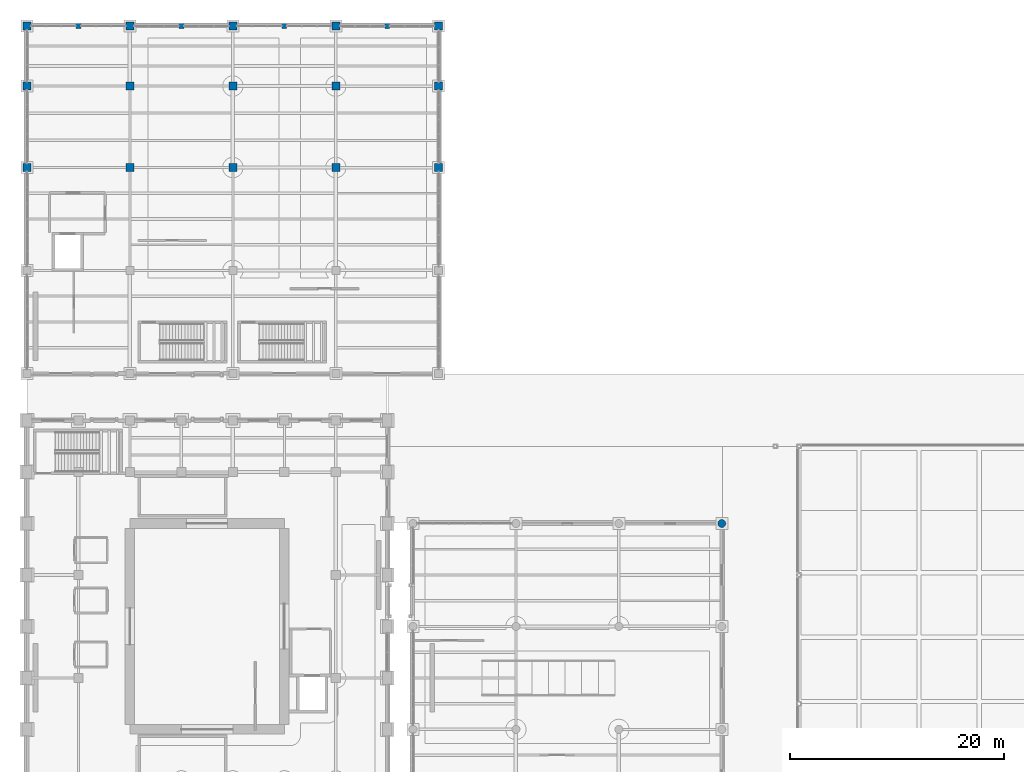
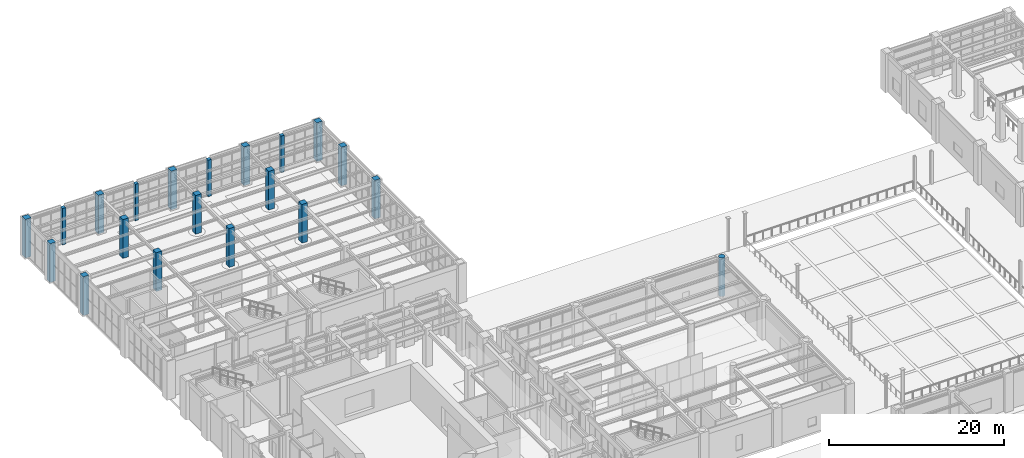
# One storey, part 15 of 164: 20 columns.
"""IFC4 building model written with IfcOpenShell, lengths in metres."""

from ifc_helpers import new_model, si_unit, direction, frame, origin, origin_2d, place, context, subcontext, project, spatial, rectangle, circle, extrude, material, material_profile, profile_set, type_object, element, save


model = new_model("IFC4")

# Units and contexts
model_context = context("Model", 3, precision=1e-05, world=origin(), true_north=direction((0.0, 1.0)))
body_context = subcontext(model_context, "Body", "Model", "MODEL_VIEW")
ifc_project = project(units=[si_unit("LENGTHUNIT", "METRE"), si_unit("AREAUNIT", "SQUARE_METRE"), si_unit("VOLUMEUNIT", "CUBIC_METRE"), si_unit("PLANEANGLEUNIT", "RADIAN"), si_unit("MASSUNIT", "GRAM", prefix="KILO")], contexts=[model_context])

# Site, building, storey
site_placement = place(None, origin())
site = spatial("IfcSite", under=ifc_project, at=site_placement, CompositionType="ELEMENT")
building_placement = place(site_placement, origin())
building = spatial("IfcBuilding", under=site, at=building_placement, Name="Mavantir Sound Aquarium", CompositionType="ELEMENT")
storey_placement = place(building_placement, origin())
storey = spatial("IfcBuildingStorey", under=building, at=storey_placement, Name="L00", CompositionType="ELEMENT", Elevation=0.0)

# Columns
ifc_material = material(Name="Concrete C40/50", Category="concrete")
ifc_material_profile_1 = material_profile(ifc_material, rectangle(XDim=0.449951171875, YDim=0.449951171875, at=origin_2d()), Name="RC 450X450")
ifc_profile_set_1 = profile_set([ifc_material_profile_1], Name="Concrete C40/50")
column_type_1 = type_object("IfcColumnType", Name="COL-RC450-E", PredefinedType="PILASTER", material=ifc_profile_set_1)
for number, where, z_axis, x_axis, name in (
    (1, (4.800048828125, 116.0, 0.0), (0.0, 0.0, 1.0), (1.0, 0.0, 0.0), "Postmodern facade pilaster L00.5"),
    (2, (14.39990234375, 116.0, 0.0), (0.0, 0.0, 1.0), (1.0, 0.0, 0.0), "Postmodern facade pilaster L00.6"),
    (3, (24.0, 116.0, 0.0), (0.0, 0.0, 1.0), (1.0, 0.0, 0.0), "Postmodern facade pilaster L00.7"),
    (4, (33.60009765625, 116.0, 0.0), (0.0, 0.0, 1.0), (1.0, 0.0, 0.0), "Postmodern facade pilaster L00.8"),
):
    element("IfcColumn", number, at=place(storey_placement, frame(where, z_axis=z_axis, x_axis=x_axis)), inside=storey, type_object=column_type_1, Name=name, PredefinedType="PILASTER", context=body_context, shape_type="SweptSolid", body=[
        extrude(rectangle(XDim=0.449951171875, YDim=0.449951171875, at=origin_2d()), origin(), (0.0, 0.0, 1.0), 5.10009765625),
    ])
ifc_material_profile_2 = material_profile(ifc_material, rectangle(XDim=0.75, YDim=0.75, at=origin_2d()), Name="RC 750X750")
ifc_profile_set_2 = profile_set([ifc_material_profile_2], Name="Concrete C40/50")
column_type_2 = type_object("IfcColumnType", Name="COL-RC750-E", PredefinedType="COLUMN", material=ifc_profile_set_2)
for number, where, z_axis, x_axis, name in (
    (5, (0.0, 102.800048828125, 0.0), (0.0, 0.0, 1.0), (1.0, 0.0, 0.0), "L00 column RC-C75 (V5)"),
    (6, (0.0, 110.39990234375, 0.0), (0.0, 0.0, 1.0), (1.0, 0.0, 0.0), "L00 column RC-C75 (V5)"),
    (7, (0.0, 116.0, 0.0), (0.0, 0.0, 1.0), (1.0, 0.0, 0.0), "L00 column RC-C75 (V5)"),
    (8, (9.60009765625, 116.0, 0.0), (0.0, 0.0, 1.0), (1.0, 0.0, 0.0), "L00 column RC-C75 (V5)"),
    (9, (19.199951171875, 116.0, 0.0), (0.0, 0.0, 1.0), (1.0, 0.0, 0.0), "L00 column RC-C75 (V5)"),
    (10, (28.800048828125, 116.0, 0.0), (0.0, 0.0, 1.0), (1.0, 0.0, 0.0), "L00 column RC-C75 (V5)"),
    (11, (38.39990234375, 116.0, 0.0), (0.0, 0.0, 1.0), (1.0, 0.0, 0.0), "L00 column RC-C75 (V5)"),
):
    element("IfcColumn", number, at=place(storey_placement, frame(where, z_axis=z_axis, x_axis=x_axis)), inside=storey, type_object=column_type_2, Name=name, PredefinedType="COLUMN", context=body_context, shape_type="SweptSolid", body=[
        extrude(rectangle(XDim=0.75, YDim=0.75, at=origin_2d()), origin(), (0.0, 0.0, 1.0), 5.39990234375),
    ])
ifc_material_profile_3 = material_profile(ifc_material, rectangle(XDim=0.75, YDim=0.75, at=origin_2d()), Name="RC 750X750")
ifc_profile_set_3 = profile_set([ifc_material_profile_3], Name="Concrete C40/50")
column_type_3 = type_object("IfcColumnType", Name="COL-RC750-I", PredefinedType="COLUMN", material=ifc_profile_set_3)
for number, where, z_axis, x_axis, name in (
    (12, (9.60009765625, 102.800048828125, 0.0), (0.0, 0.0, 1.0), (1.0, 0.0, 0.0), "L00 column RC-C75 (V5)"),
    (13, (9.60009765625, 110.39990234375, 0.0), (0.0, 0.0, 1.0), (1.0, 0.0, 0.0), "L00 column RC-C75 (V5)"),
    (14, (19.199951171875, 102.800048828125, 0.0), (0.0, 0.0, 1.0), (1.0, 0.0, 0.0), "L00 column RC-C75 (V5)"),
    (15, (19.199951171875, 110.39990234375, 0.0), (0.0, 0.0, 1.0), (1.0, 0.0, 0.0), "L00 column RC-C75 (V5)"),
    (16, (28.800048828125, 102.800048828125, 0.0), (0.0, 0.0, 1.0), (1.0, 0.0, 0.0), "L00 column RC-C75 (V5)"),
    (17, (28.800048828125, 110.39990234375, 0.0), (0.0, 0.0, 1.0), (1.0, 0.0, 0.0), "L00 column RC-C75 (V5)"),
    (18, (38.39990234375, 102.800048828125, 0.0), (0.0, 0.0, 1.0), (1.0, 0.0, 0.0), "L00 column RC-C75 (V5)"),
    (19, (38.39990234375, 110.39990234375, 0.0), (0.0, 0.0, 1.0), (1.0, 0.0, 0.0), "L00 column RC-C75 (V5)"),
):
    element("IfcColumn", number, at=place(storey_placement, frame(where, z_axis=z_axis, x_axis=x_axis)), inside=storey, type_object=column_type_3, Name=name, PredefinedType="COLUMN", context=body_context, shape_type="SweptSolid", body=[
        extrude(rectangle(XDim=0.75, YDim=0.75, at=origin_2d()), origin(), (0.0, 0.0, 1.0), 5.39990234375),
    ])
ifc_material_profile_4 = material_profile(ifc_material, circle(Radius=0.375, at=origin_2d()), Name="RC D750")
ifc_profile_set_4 = profile_set([ifc_material_profile_4], Name="Concrete C40/50")
column_type_4 = type_object("IfcColumnType", Name="COL-RCD750-I", PredefinedType="COLUMN", material=ifc_profile_set_4)
column_placement = place(storey_placement, frame((64.800048828125, 69.60009765625, 0.0), z_axis=(0.0, 0.0, 1.0), x_axis=(1.0, 0.0, 0.0)))
element("IfcColumn", 20, at=column_placement, inside=storey, type_object=column_type_4, Name="L00 column RC-CD75 (V2)", PredefinedType="COLUMN", context=body_context, shape_type="SweptSolid", body=[
    extrude(circle(Radius=0.375, at=origin_2d()), origin(), (0.0, 0.0, 1.0), 5.39990234375),
])

save(model, "model.ifc")
